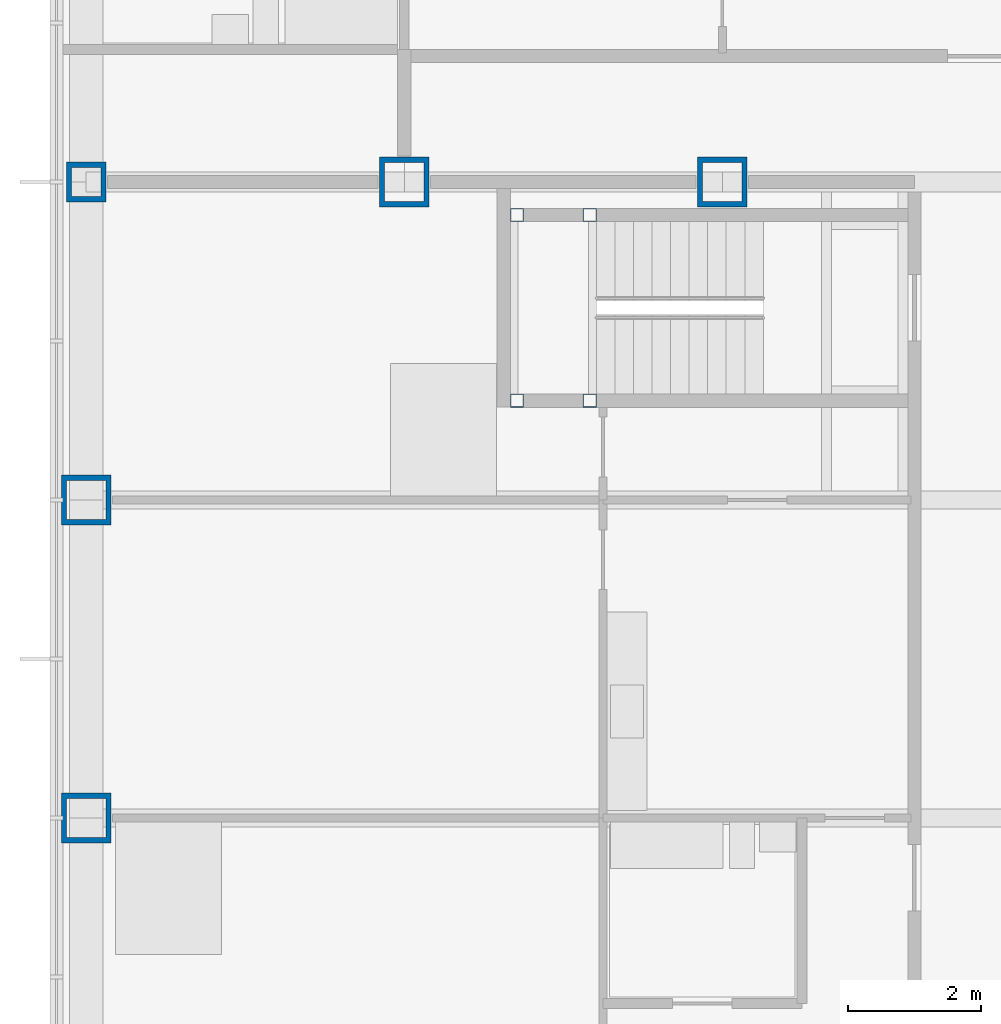
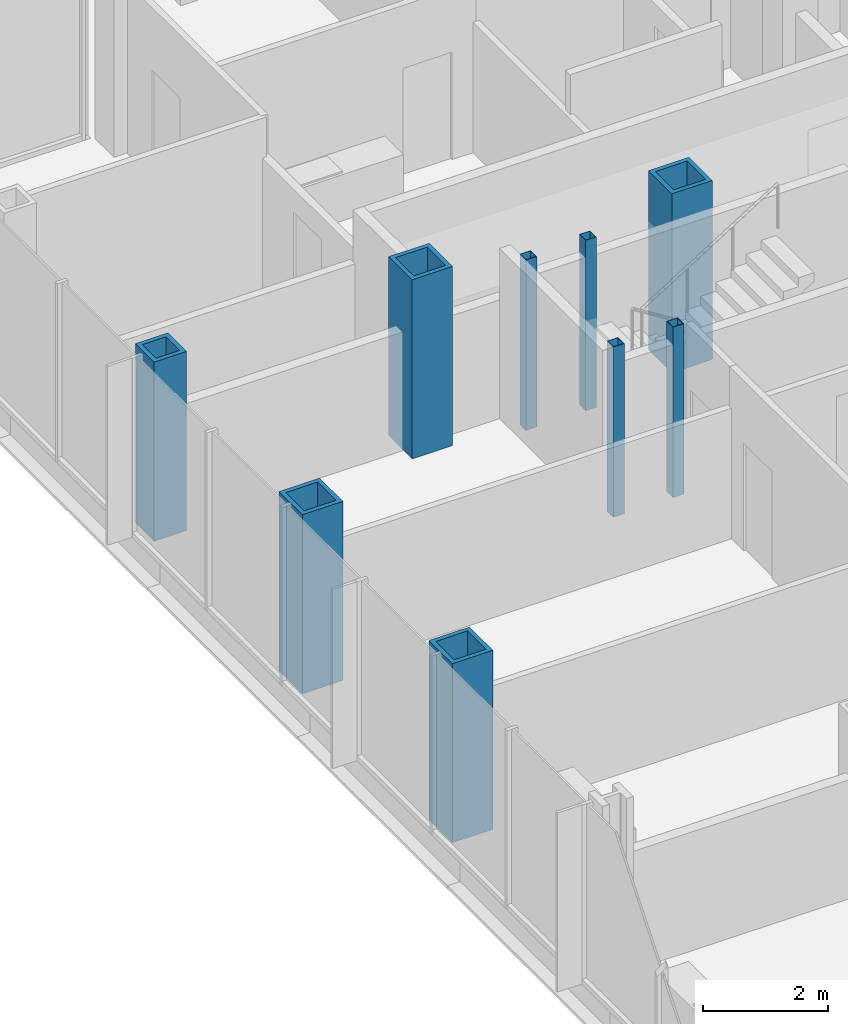
# One storey, part 3 of 21: 9 columns.
"""IFC4 building model written with IfcOpenShell, lengths in metres."""

from ifc_helpers import new_model, si_unit, direction, frame, origin, origin_2d, place, context, subcontext, project, spatial, hollow_rectangle, extrude, material, material_profile, profile_set, type_object, element, save


model = new_model("IFC4")

# Units and contexts
model_context = context("Model", 3, precision=1e-05, world=origin(), true_north=direction((0.0, 1.0)))
body_context = subcontext(model_context, "Body", "Model", "MODEL_VIEW")
ifc_project = project(units=[si_unit("LENGTHUNIT", "METRE"), si_unit("AREAUNIT", "SQUARE_METRE"), si_unit("VOLUMEUNIT", "CUBIC_METRE"), si_unit("PLANEANGLEUNIT", "RADIAN"), si_unit("MASSUNIT", "GRAM", prefix="KILO")], contexts=[model_context])

# Site, building, storey
site_placement = place(None, origin())
site = spatial("IfcSite", under=ifc_project, at=site_placement, CompositionType="ELEMENT")
building_placement = place(site_placement, origin())
building = spatial("IfcBuilding", under=site, at=building_placement, Name="Kvirike Care Tower", CompositionType="ELEMENT")
storey_placement = place(building_placement, frame((0.0, 0.0, 37.5)))
storey = spatial("IfcBuildingStorey", under=building, at=storey_placement, Name="L09", CompositionType="ELEMENT", Elevation=37.5)

# Columns
ifc_material_1 = material(Name="Steel S460", Category="steel")
ifc_material_profile_1 = material_profile(ifc_material_1, hollow_rectangle(XDim=0.60009765625, YDim=0.60009765625, WallThickness=0.080078125, at=origin_2d()), Name="BX 600x600x80")
ifc_profile_set_1 = profile_set([ifc_material_profile_1], Name="Steel S460")
column_type_1 = type_object("IfcColumnType", Name="COLUMN BX 600x600x80", PredefinedType="COLUMN", material=ifc_profile_set_1)
column_placement = place(storey_placement, frame((0.0, 43.199951171875, 0.0), z_axis=(0.0, 0.0, 1.0), x_axis=(0.0, 1.0, 0.0)))
element("IfcColumn", 1, at=column_placement, inside=storey, type_object=column_type_1, Name="Column K3 L09", PredefinedType="COLUMN", context=body_context, shape_type="SweptSolid", body=[
    extrude(hollow_rectangle(XDim=0.60009765625, YDim=0.60009765625, WallThickness=0.080078125, at=origin_2d()), origin(), (0.0, 0.0, 1.0), 3.5),
])
ifc_material_2 = material(Name="Steel S460", Category="steel")
ifc_material_profile_2 = material_profile(ifc_material_2, hollow_rectangle(XDim=0.75, YDim=0.75, WallThickness=0.080078125, at=origin_2d()), Name="BX 750x750x80")
ifc_profile_set_2 = profile_set([ifc_material_profile_2], Name="Steel S460")
column_type_2 = type_object("IfcColumnType", Name="COLUMN BX 750x750x80", PredefinedType="COLUMN", material=ifc_profile_set_2)
for number, where, z_axis, x_axis, name in (
    (2, (0.0, 33.60009765625, 0.0), (0.0, 0.0, 1.0), (1.0, 0.0, 0.0), "Column H3 L09"),
    (3, (0.0, 38.39990234375, 0.0), (0.0, 0.0, 1.0), (1.0, 0.0, 0.0), "Column J3 L09"),
    (4, (4.800048828125, 43.199951171875, 0.0), (0.0, 0.0, 1.0), (0.0, 1.0, 0.0), "Column K4 L09"),
    (5, (9.60009765625, 43.199951171875, 0.0), (0.0, 0.0, 1.0), (0.0, 1.0, 0.0), "Column K5 L09"),
):
    element("IfcColumn", number, at=place(storey_placement, frame(where, z_axis=z_axis, x_axis=x_axis)), inside=storey, type_object=column_type_2, Name=name, PredefinedType="COLUMN", context=body_context, shape_type="SweptSolid", body=[
        extrude(hollow_rectangle(XDim=0.75, YDim=0.75, WallThickness=0.080078125, at=origin_2d()), origin(), (0.0, 0.0, 1.0), 3.5),
    ])
ifc_material_3 = material(Name="Steel S460", Category="steel")
ifc_material_profile_3 = material_profile(ifc_material_3, hollow_rectangle(XDim=0.199951171875, YDim=0.199951171875, WallThickness=0.008056640625, at=origin_2d()), Name="SHS 200x200x8")
ifc_profile_set_3 = profile_set([ifc_material_profile_3], Name="Steel S460")
column_type_3 = type_object("IfcColumnType", Name="STAIR POST SHS 200x200x8", PredefinedType="COLUMN", material=ifc_profile_set_3)
for number, where, z_axis, x_axis, name in (
    (6, (6.5, 42.699951171875, 0.0), (0.0, 0.0, 1.0), (1.0, 0.0, 0.0), "Stair 1 post 1 L09"),
    (7, (6.5, 39.89990234375, 0.0), (0.0, 0.0, 1.0), (1.0, 0.0, 0.0), "Stair 1 post 2 L09"),
    (8, (7.60009765625, 42.699951171875, 0.0), (0.0, 0.0, 1.0), (1.0, 0.0, 0.0), "Stair 1 post 3 L09"),
    (9, (7.60009765625, 39.89990234375, 0.0), (0.0, 0.0, 1.0), (1.0, 0.0, 0.0), "Stair 1 post 4 L09"),
):
    element("IfcColumn", number, at=place(storey_placement, frame(where, z_axis=z_axis, x_axis=x_axis)), inside=storey, type_object=column_type_3, Name=name, PredefinedType="COLUMN", context=body_context, shape_type="SweptSolid", body=[
        extrude(hollow_rectangle(XDim=0.199951171875, YDim=0.199951171875, WallThickness=0.008056640625, at=origin_2d()), origin(), (0.0, 0.0, 1.0), 3.330078125),
    ])

save(model, "model.ifc")
